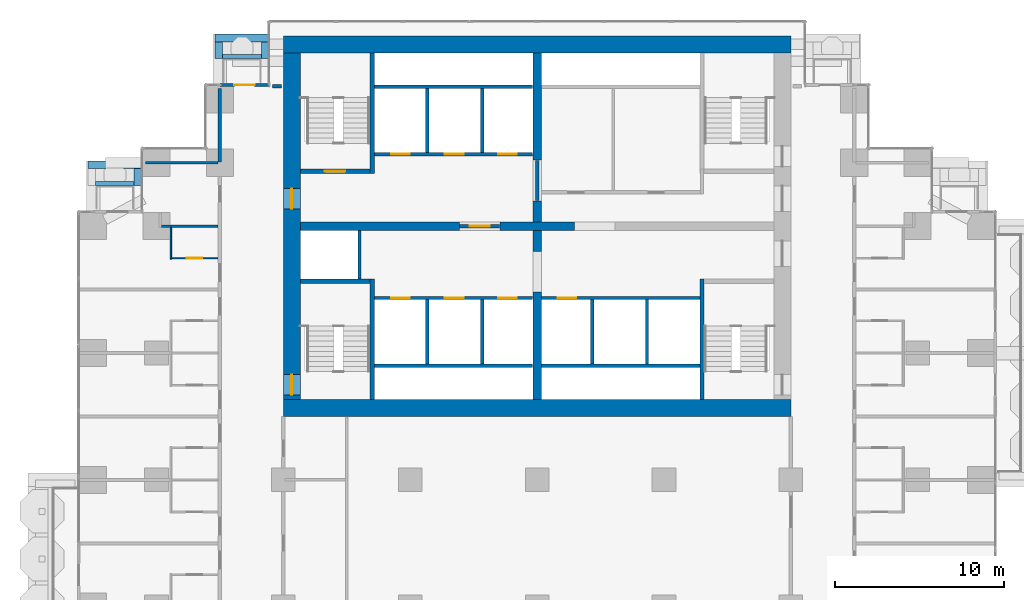
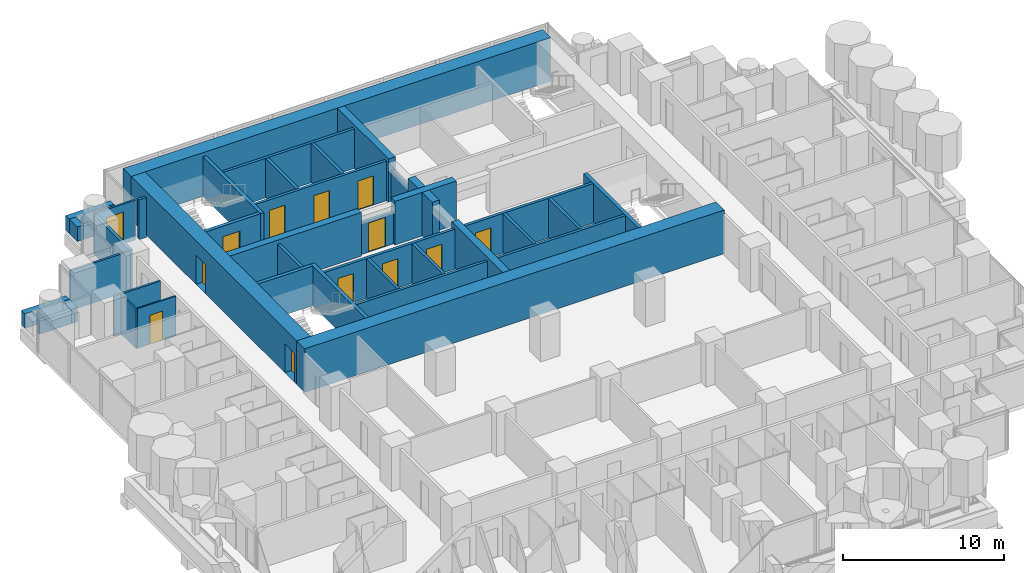
# One storey, part 14 of 19: 43 walls, 13 doors, 13 openings.
"""IFC4 building model written with IfcOpenShell, lengths in metres."""

from ifc_helpers import new_model, si_unit, direction, frame, frame_2d, origin, place, context, subcontext, project, spatial, rectangle, extrude, material, layer, layer_set, type_object, element, fill, save


model = new_model("IFC4")

# Units and contexts
model_context = context("Model", 3, precision=1e-05, world=origin(), true_north=direction((0.0, 1.0)))
body_context = subcontext(model_context, "Body", "Model", "MODEL_VIEW")
ifc_project = project(units=[si_unit("LENGTHUNIT", "METRE"), si_unit("AREAUNIT", "SQUARE_METRE"), si_unit("VOLUMEUNIT", "CUBIC_METRE"), si_unit("PLANEANGLEUNIT", "RADIAN"), si_unit("MASSUNIT", "GRAM", prefix="KILO")], contexts=[model_context])

# Site, building, storey
site_placement = place(None, origin())
site = spatial("IfcSite", under=ifc_project, at=site_placement, CompositionType="ELEMENT")
building_placement = place(site_placement, origin())
building = spatial("IfcBuilding", under=site, at=building_placement, Name="Pilkhan Gate Tower", CompositionType="ELEMENT")
storey_placement = place(building_placement, frame((0.0, 0.0, 39.5)))
storey = spatial("IfcBuildingStorey", under=building, at=storey_placement, Name="L06", CompositionType="ELEMENT", Elevation=39.5)

# Walls
ifc_material_1 = material(Name="Concrete C40/50", Category="concrete")
ifc_layer_1 = layer(ifc_material_1, 0.25)
ifc_layer_set_1 = layer_set([ifc_layer_1], Name="Balcony planter BP250")
wall_type_1 = type_object("IfcWallType", Name="Balcony planter BP250", PredefinedType="USERDEFINED", material=ifc_layer_set_1)
wall_1_placement = place(storey_placement, frame((56.39990234375, 92.52490234375, 0.0), z_axis=(0.0, 0.0, 1.0), x_axis=(1.0, 0.0, 0.0)))
element("IfcWall", 1, at=wall_1_placement, inside=storey, type_object=wall_type_1, Name="Balcony planter L06 N", ObjectType="BALCONY PLANTER", PredefinedType="USERDEFINED", context=body_context, shape_type="SweptSolid", body=[
    extrude(rectangle(XDim=2.300048828125, YDim=0.25, at=frame_2d((1.14990234375, 0.0))), origin(), (0.0, 0.0, 1.0), 1.0),
])
wall_2_placement = place(storey_placement, frame((48.89990234375, 85.02490234375, 0.0), z_axis=(0.0, 0.0, 1.0), x_axis=(1.0, 0.0, 0.0)))
element("IfcWall", 2, at=wall_2_placement, inside=storey, type_object=wall_type_1, Name="Balcony planter L06 N", ObjectType="BALCONY PLANTER", PredefinedType="USERDEFINED", context=body_context, shape_type="SweptSolid", body=[
    extrude(rectangle(XDim=2.280029296875, YDim=0.25, at=frame_2d((1.14013671875, 0.0))), origin(), (0.0, 0.0, 1.0), 1.0),
])
ifc_material_2 = material(Name="Board-marked Concrete C40/50", Category="concrete")
ifc_layer_2 = layer(ifc_material_2, 0.449951171875)
ifc_layer_set_2 = layer_set([ifc_layer_2], Name="Balcony planter lip BL450")
wall_type_2 = type_object("IfcWallType", Name="Balcony planter lip BL450", PredefinedType="USERDEFINED", material=ifc_layer_set_2)
wall_3_placement = place(storey_placement, frame((55.949951171875, 93.625, 0.0), z_axis=(0.0, 0.0, 1.0), x_axis=(1.0, 0.0, 0.0)))
element("IfcWall", 3, at=wall_3_placement, inside=storey, type_object=wall_type_2, Name="Balcony planter L06 N", ObjectType="BALCONY PLANTER", PredefinedType="USERDEFINED", context=body_context, shape_type="SweptSolid", body=[
    extrude(rectangle(XDim=3.199951171875, YDim=0.449951171875, at=frame_2d((1.60009765625, 0.0))), origin(), (0.0, 0.0, 1.0), 1.10009765625),
])
for number, where, z_axis, x_axis, name in (
    (4, (56.175048828125, 92.39990234375, 0.0), (0.0, 0.0, 1.0), (0.0, 1.0, 0.0), "Balcony planter L06 N"),
    (5, (58.925048828125, 92.39990234375, 0.0), (0.0, 0.0, 1.0), (0.0, 1.0, 0.0), "Balcony planter L06 N"),
):
    element("IfcWall", number, at=place(storey_placement, frame(where, z_axis=z_axis, x_axis=x_axis)), inside=storey, type_object=wall_type_2, Name=name, ObjectType="BALCONY PLANTER", PredefinedType="USERDEFINED", context=body_context, shape_type="SweptSolid", body=[
        extrude(rectangle(XDim=1.0, YDim=0.449951171875, at=frame_2d((0.5, 0.0))), origin(), (0.0, 0.0, 1.0), 1.10009765625),
    ])
wall_4_placement = place(storey_placement, frame((48.449951171875, 86.125, 0.0), z_axis=(0.0, 0.0, 1.0), x_axis=(1.0, 0.0, 0.0)))
element("IfcWall", 6, at=wall_4_placement, inside=storey, type_object=wall_type_2, Name="Balcony planter L06 N", ObjectType="BALCONY PLANTER", PredefinedType="USERDEFINED", context=body_context, shape_type="SweptSolid", body=[
    extrude(rectangle(XDim=3.179931640625, YDim=0.449951171875, at=frame_2d((1.58984375, 0.0))), origin(), (0.0, 0.0, 1.0), 1.10009765625),
])
wall_5_placement = place(storey_placement, frame((51.405029296875, 84.89990234375, 0.0), z_axis=(0.0, 0.0, 1.0), x_axis=(0.0, 1.0, 0.0)))
element("IfcWall", 7, at=wall_5_placement, inside=storey, type_object=wall_type_2, Name="Balcony planter L06 N", ObjectType="BALCONY PLANTER", PredefinedType="USERDEFINED", context=body_context, shape_type="SweptSolid", body=[
    extrude(rectangle(XDim=1.0, YDim=0.449951171875, at=frame_2d((0.5, 0.0))), origin(), (0.0, 0.0, 1.0), 1.10009765625),
])
ifc_material_3 = material(Name="Concrete C70/85", Category="concrete")
ifc_layer_3 = layer(ifc_material_3, 1.0)
ifc_layer_set_3 = layer_set([ifc_layer_3], Name="Core wall CW1000 C70/85")
wall_type_3 = type_object("IfcWallType", Name="Core wall CW1000 C70/85", PredefinedType="SHEAR", material=ifc_layer_set_3)
for number, where, z_axis, x_axis, name in (
    (8, (60.0, 71.75, 0.0), (0.0, 0.0, 1.0), (1.0, 0.0, 0.0), "Core wall S L06"),
    (9, (90.0, 93.25, 0.0), (0.0, 0.0, 1.0), (-1.0, 0.0, 0.0), "Core wall N L06"),
):
    element("IfcWall", number, at=place(storey_placement, frame(where, z_axis=z_axis, x_axis=x_axis)), inside=storey, type_object=wall_type_3, Name=name, PredefinedType="SHEAR", context=body_context, shape_type="SweptSolid", body=[
        extrude(rectangle(XDim=30.0, YDim=1.0, at=frame_2d((15.0, 0.0))), origin(), (0.0, 0.0, 1.0), 3.300048828125),
    ])

# Wall, openings, doors
wall_6_placement = place(storey_placement, frame((60.5, 92.75, 0.0), z_axis=(0.0, 0.0, 1.0), x_axis=(0.0, -1.0, 0.0)))
wall_6 = element("IfcWall", 10, at=wall_6_placement, inside=storey, type_object=wall_type_3, Name="Core wall W L06", PredefinedType="SHEAR", context=body_context, shape_type="SweptSolid", body=[
    extrude(rectangle(XDim=20.5, YDim=1.0, at=frame_2d((10.25, 0.0))), origin(), (0.0, 0.0, 1.0), 3.300048828125),
])
opening_1_placement = place(wall_6_placement, frame((19.02490234375, 0.0, 0.0)))
opening_1 = element("IfcOpeningElement", 11, at=opening_1_placement, cuts=wall_6, Name="Opening L06-04", PredefinedType="OPENING", context=body_context, shape_type="SweptSolid", body=[
    extrude(rectangle(XDim=1.199951171875, YDim=2.199951171875, at=frame_2d((0.60009765625, 1.10009765625))), frame((0.0, 0.510009765625, 0.0), z_axis=(0.0, -1.0, 0.0), x_axis=(1.0, 0.0, 0.0)), (0.0, 0.0, 1.0), 1.02001953125),
])
opening_2_placement = place(wall_6_placement, frame((8.02490234375, 0.0, 0.0)))
opening_2 = element("IfcOpeningElement", 12, at=opening_2_placement, cuts=wall_6, Name="Opening L06-59", PredefinedType="OPENING", context=body_context, shape_type="SweptSolid", body=[
    extrude(rectangle(XDim=1.199951171875, YDim=2.199951171875, at=frame_2d((0.60009765625, 1.10009765625))), frame((0.0, 0.510009765625, 0.0), z_axis=(0.0, -1.0, 0.0), x_axis=(1.0, 0.0, 0.0)), (0.0, 0.0, 1.0), 1.02001953125),
])
ifc_material_4 = material(Name="Steel door, 120 minute fire resisting, self-closing", Category="steel")
door_type_1 = type_object("IfcDoorType", Name="Firefighting lobby door D10 1200x2200", OperationType="SINGLE_SWING_LEFT", PredefinedType="DOOR", material=ifc_material_4)
door_1_placement = place(opening_2_placement, origin())
door_1 = element("IfcDoor", 13, at=door_1_placement, inside=storey, type_object=door_type_1, Name="Core door", OperationType="SINGLE_SWING_LEFT", OverallHeight=2.199951171875, OverallWidth=1.199951171875, PredefinedType="DOOR", context=body_context, shape_type="SweptSolid", body=[
    extrude(rectangle(XDim=1.199951171875, YDim=2.199951171875, at=frame_2d((0.60009765625, 1.10009765625))), frame((0.0, 0.02490234375, 0.0), z_axis=(0.0, -1.0, 0.0), x_axis=(1.0, 0.0, 0.0)), (0.0, 0.0, 1.0), 0.050048828125),
])
fill(opening_2, door_1)
ifc_material_5 = material(Name="Steel door, 120 minute fire resisting, panic bar", Category="steel")
door_type_2 = type_object("IfcDoorType", Name="Stair door D11 1200x2200", OperationType="SINGLE_SWING_LEFT", PredefinedType="DOOR", material=ifc_material_5)
door_2_placement = place(opening_1_placement, origin())
door_2 = element("IfcDoor", 14, at=door_2_placement, inside=storey, type_object=door_type_2, Name="Stair ST2 door", OperationType="SINGLE_SWING_LEFT", OverallHeight=2.199951171875, OverallWidth=1.199951171875, PredefinedType="DOOR", context=body_context, shape_type="SweptSolid", body=[
    extrude(rectangle(XDim=1.199951171875, YDim=2.199951171875, at=frame_2d((0.60009765625, 1.10009765625))), frame((0.0, 0.02490234375, 0.0), z_axis=(0.0, -1.0, 0.0), x_axis=(1.0, 0.0, 0.0)), (0.0, 0.0, 1.0), 0.050048828125),
])
fill(opening_1, door_2)

# Walls
ifc_material_6 = material(Name="Dense blockwork", Category="masonry")
ifc_layer_4 = layer(ifc_material_6, 0.199951171875)
ifc_layer_set_4 = layer_set([ifc_layer_4], Name="Corridor wall FW200")
wall_type_4 = type_object("IfcWallType", Name="Corridor wall FW200", PredefinedType="PARTITIONING", material=ifc_layer_set_4)
wall_7_placement = place(storey_placement, frame((59.35498046875, 90.764892578125, 0.0), z_axis=(0.0, 0.0, 1.0), x_axis=(1.0, 0.0, 0.0)))
element("IfcWall", 15, at=wall_7_placement, inside=storey, type_object=wall_type_4, Name="Partition L06", PredefinedType="PARTITIONING", context=body_context, shape_type="SweptSolid", body=[
    extrude(rectangle(XDim=0.52490234375, YDim=0.199951171875, at=frame_2d((0.262451171875, 0.0))), origin(), (0.0, 0.0, 1.0), 3.0),
])
wall_8_placement = place(storey_placement, frame((56.25, 86.280029296875, 0.0), z_axis=(0.0, 0.0, 1.0), x_axis=(0.0, 1.0, 0.0)))
element("IfcWall", 16, at=wall_8_placement, inside=storey, type_object=wall_type_4, Name="Partition L06", PredefinedType="PARTITIONING", context=body_context, shape_type="SweptSolid", body=[
    extrude(rectangle(XDim=4.364990234375, YDim=0.199951171875, at=frame_2d((2.1826171875, 0.0))), origin(), (0.0, 0.0, 1.0), 3.0),
])

# Wall, opening, door
ifc_material_7 = material(Name="Pale anodised aluminium, clear laminated glazing", Category="aluminium")
ifc_layer_5 = layer(ifc_material_7, 0.14990234375)
ifc_layer_set_5 = layer_set([ifc_layer_5], Name="Facade infill wall IW150")
wall_type_5 = type_object("IfcWallType", Name="Facade infill wall IW150", PredefinedType="SOLIDWALL", material=ifc_layer_set_5)
wall_9_placement = place(storey_placement, frame((56.25, 90.844970703125, 0.0), z_axis=(0.0, 0.0, 1.0), x_axis=(1.0, 0.0, 0.0)))
wall_9 = element("IfcWall", 17, at=wall_9_placement, inside=storey, type_object=wall_type_5, Name="Infill wall L06 N", PredefinedType="SOLIDWALL", context=body_context, shape_type="SweptSolid", body=[
    extrude(rectangle(XDim=2.905029296875, YDim=0.14990234375, at=frame_2d((1.45263671875, 0.0))), origin(), (0.0, 0.0, 1.0), 3.0),
])
opening_3_placement = place(wall_9_placement, frame((0.8525390625, 0.0, 0.0)))
opening_3 = element("IfcOpeningElement", 18, at=opening_3_placement, cuts=wall_9, Name="Opening D1", PredefinedType="OPENING", context=body_context, shape_type="SweptSolid", body=[
    extrude(rectangle(XDim=1.199951171875, YDim=2.39990234375, at=frame_2d((0.60009765625, 1.199951171875))), frame((0.0, 0.0849609375, 0.0), z_axis=(0.0, -1.0, 0.0), x_axis=(1.0, 0.0, 0.0)), (0.0, 0.0, 1.0), 0.169921875),
])
ifc_material_8 = material(Name="Pale anodised aluminium, clear glazing", Category="aluminium")
door_type_3 = type_object("IfcDoorType", Name="Balcony door D1 1200x2400", OperationType="SINGLE_SWING_LEFT", PredefinedType="DOOR", material=ifc_material_8)
door_3_placement = place(opening_3_placement, origin())
door_3 = element("IfcDoor", 19, at=door_3_placement, inside=storey, type_object=door_type_3, Name="Balcony door L06", OperationType="SINGLE_SWING_LEFT", OverallHeight=2.39990234375, OverallWidth=1.199951171875, PredefinedType="DOOR", context=body_context, shape_type="SweptSolid", body=[
    extrude(rectangle(XDim=1.199951171875, YDim=2.39990234375, at=frame_2d((0.60009765625, 1.199951171875))), frame((0.0, 0.02490234375, 0.0), z_axis=(0.0, -1.0, 0.0), x_axis=(1.0, 0.0, 0.0)), (0.0, 0.0, 1.0), 0.050048828125),
])
fill(opening_3, door_3)

ifc_layer_6 = layer(ifc_material_6, 0.199951171875)
ifc_layer_set_6 = layer_set([ifc_layer_6], Name="Lobby wall LW200")
wall_type_6 = type_object("IfcWallType", Name="Lobby wall LW200", PredefinedType="PARTITIONING", material=ifc_layer_set_6)
wall_10_placement = place(storey_placement, frame((70.409912109375, 82.5, 0.0), z_axis=(0.0, 0.0, 1.0), x_axis=(1.0, 0.0, 0.0)))
wall_10 = element("IfcWall", 20, at=wall_10_placement, inside=storey, type_object=wall_type_6, Name="Partition L06", PredefinedType="PARTITIONING", context=body_context, shape_type="SweptSolid", body=[
    extrude(rectangle(XDim=2.380126953125, YDim=0.199951171875, at=frame_2d((1.18994140625, 0.0))), origin(), (0.0, 0.0, 1.0), 2.39990234375),
])
opening_4_placement = place(wall_10_placement, frame((0.60009765625, 0.0, 0.0)))
opening_4 = element("IfcOpeningElement", 21, at=opening_4_placement, cuts=wall_10, Name="Opening L06-01", PredefinedType="OPENING", context=body_context, shape_type="SweptSolid", body=[
    extrude(rectangle(XDim=1.199951171875, YDim=2.199951171875, at=frame_2d((0.60009765625, 1.10009765625))), frame((0.0, 0.10986328125, 0.0), z_axis=(0.0, -1.0, 0.0), x_axis=(1.0, 0.0, 0.0)), (0.0, 0.0, 1.0), 0.219970703125),
])
door_4_placement = place(opening_4_placement, origin())
door_4 = element("IfcDoor", 22, at=door_4_placement, inside=storey, type_object=door_type_1, Name="Firefighting lobby door", OperationType="SINGLE_SWING_LEFT", OverallHeight=2.199951171875, OverallWidth=1.199951171875, PredefinedType="DOOR", context=body_context, shape_type="SweptSolid", body=[
    extrude(rectangle(XDim=1.199951171875, YDim=2.199951171875, at=frame_2d((0.60009765625, 1.10009765625))), frame((0.0, 0.02490234375, 0.0), z_axis=(0.0, -1.0, 0.0), x_axis=(1.0, 0.0, 0.0)), (0.0, 0.0, 1.0), 0.050048828125),
])
fill(opening_4, door_4)

# Walls
wall_11_placement = place(storey_placement, frame((75.0, 84.010009765625, 0.0), z_axis=(0.0, 0.0, 1.0), x_axis=(0.0, 1.0, 0.0)))
element("IfcWall", 23, at=wall_11_placement, inside=storey, type_object=wall_type_6, Name="Partition L06", PredefinedType="PARTITIONING", context=body_context, shape_type="SweptSolid", body=[
    extrude(rectangle(XDim=2.3798828125, YDim=0.199951171875, at=frame_2d((1.18994140625, 0.0))), origin(), (0.0, 0.0, 1.0), 2.39990234375),
])
ifc_material_9 = material(Name="Blockwork partition, plastered both sides", Category="masonry")
ifc_layer_7 = layer(ifc_material_9, 0.14990234375)
ifc_layer_set_7 = layer_set([ifc_layer_7], Name="Partition PW150")
wall_type_7 = type_object("IfcWallType", Name="Partition PW150", PredefinedType="PARTITIONING", material=ifc_layer_set_7)
wall_12_placement = place(storey_placement, frame((52.81005859375, 82.5, 0.0), z_axis=(0.0, 0.0, 1.0), x_axis=(1.0, 0.0, 0.0)))
element("IfcWall", 24, at=wall_12_placement, inside=storey, type_object=wall_type_7, Name="Partition L06", PredefinedType="PARTITIONING", context=body_context, shape_type="SweptSolid", body=[
    extrude(rectangle(XDim=3.33984375, YDim=0.14990234375, at=frame_2d((1.669921875, 0.0))), origin(), (0.0, 0.0, 1.0), 3.0),
])
wall_13_placement = place(storey_placement, frame((51.85498046875, 86.25, 0.0), z_axis=(0.0, 0.0, 1.0), x_axis=(1.0, 0.0, 0.0)))
element("IfcWall", 25, at=wall_13_placement, inside=storey, type_object=wall_type_7, Name="Partition L06", PredefinedType="PARTITIONING", context=body_context, shape_type="SweptSolid", body=[
    extrude(rectangle(XDim=4.294921875, YDim=0.14990234375, at=frame_2d((2.1474609375, 0.0))), origin(), (0.0, 0.0, 1.0), 3.0),
])
ifc_material_10 = material(Name="Reinforced blockwork shaft wall, 120 minute fire resisting", Category="masonry")
ifc_layer_8 = layer(ifc_material_10, 0.199951171875)
ifc_layer_set_8 = layer_set([ifc_layer_8], Name="Shaft wall SW200")
wall_type_8 = type_object("IfcWallType", Name="Shaft wall SW200", PredefinedType="PARTITIONING", material=ifc_layer_set_8)
for number, where, z_axis, x_axis, name in (
    (26, (65.375, 74.25, 0.0), (0.0, 0.0, 1.0), (1.0, 0.0, 0.0), "Partition L06"),
    (27, (75.260009765625, 74.25, 0.0), (0.0, 0.0, 1.0), (1.0, 0.0, 0.0), "Partition L06"),
):
    element("IfcWall", number, at=place(storey_placement, frame(where, z_axis=z_axis, x_axis=x_axis)), inside=storey, type_object=wall_type_8, Name=name, PredefinedType="PARTITIONING", context=body_context, shape_type="SweptSolid", body=[
        extrude(rectangle(XDim=9.364990234375, YDim=0.199951171875, at=frame_2d((4.6826171875, 0.0))), origin(), (0.0, 0.0, 1.0), 3.0),
    ])

# Wall, openings, doors
wall_14_placement = place(storey_placement, frame((65.375, 78.25, 0.0), z_axis=(0.0, 0.0, 1.0), x_axis=(1.0, 0.0, 0.0)))
wall_14 = element("IfcWall", 28, at=wall_14_placement, inside=storey, type_object=wall_type_8, Name="Partition L06", PredefinedType="PARTITIONING", context=body_context, shape_type="SweptSolid", body=[
    extrude(rectangle(XDim=9.364990234375, YDim=0.199951171875, at=frame_2d((4.6826171875, 0.0))), origin(), (0.0, 0.0, 1.0), 3.0),
])
opening_5_placement = place(wall_14_placement, frame((1.0, 0.0, 0.0)))
opening_5 = element("IfcOpeningElement", 29, at=opening_5_placement, cuts=wall_14, Name="Opening LD", PredefinedType="OPENING", context=body_context, shape_type="SweptSolid", body=[
    extrude(rectangle(XDim=1.10009765625, YDim=2.199951171875, at=frame_2d((0.550048828125, 1.10009765625))), frame((0.0, 0.10986328125, 0.0), z_axis=(0.0, -1.0, 0.0), x_axis=(1.0, 0.0, 0.0)), (0.0, 0.0, 1.0), 0.219970703125),
])
opening_6_placement = place(wall_14_placement, frame((4.175048828125, 0.0, 0.0)))
opening_6 = element("IfcOpeningElement", 30, at=opening_6_placement, cuts=wall_14, Name="Opening LD", PredefinedType="OPENING", context=body_context, shape_type="SweptSolid", body=[
    extrude(rectangle(XDim=1.10009765625, YDim=2.199951171875, at=frame_2d((0.550048828125, 1.10009765625))), frame((0.0, 0.10986328125, 0.0), z_axis=(0.0, -1.0, 0.0), x_axis=(1.0, 0.0, 0.0)), (0.0, 0.0, 1.0), 0.219970703125),
])
opening_7_placement = place(wall_14_placement, frame((7.324951171875, 0.0, 0.0)))
opening_7 = element("IfcOpeningElement", 31, at=opening_7_placement, cuts=wall_14, Name="Opening LD", PredefinedType="OPENING", context=body_context, shape_type="SweptSolid", body=[
    extrude(rectangle(XDim=1.10009765625, YDim=2.199951171875, at=frame_2d((0.550048828125, 1.10009765625))), frame((0.0, 0.10986328125, 0.0), z_axis=(0.0, -1.0, 0.0), x_axis=(1.0, 0.0, 0.0)), (0.0, 0.0, 1.0), 0.219970703125),
])
ifc_material_11 = material(Name="Stainless steel centre-opening landing door, 120 minute fire resisting", Category="steel")
door_type_4 = type_object("IfcDoorType", Name="Lift landing door LD 1100x2200", OperationType="DOUBLE_DOOR_SLIDING", PredefinedType="DOOR", material=ifc_material_11)
door_5_placement = place(opening_5_placement, origin())
door_5 = element("IfcDoor", 32, at=door_5_placement, inside=storey, type_object=door_type_4, Name="Landing door LR1", OperationType="DOUBLE_DOOR_SLIDING", OverallHeight=2.199951171875, OverallWidth=1.10009765625, PredefinedType="DOOR", context=body_context, shape_type="SweptSolid", body=[
    extrude(rectangle(XDim=1.10009765625, YDim=2.199951171875, at=frame_2d((0.550048828125, 1.10009765625))), frame((0.0, 0.02490234375, 0.0), z_axis=(0.0, -1.0, 0.0), x_axis=(1.0, 0.0, 0.0)), (0.0, 0.0, 1.0), 0.050048828125),
])
fill(opening_5, door_5)
door_6_placement = place(opening_6_placement, origin())
door_6 = element("IfcDoor", 33, at=door_6_placement, inside=storey, type_object=door_type_4, Name="Landing door LR2", OperationType="DOUBLE_DOOR_SLIDING", OverallHeight=2.199951171875, OverallWidth=1.10009765625, PredefinedType="DOOR", context=body_context, shape_type="SweptSolid", body=[
    extrude(rectangle(XDim=1.10009765625, YDim=2.199951171875, at=frame_2d((0.550048828125, 1.10009765625))), frame((0.0, 0.02490234375, 0.0), z_axis=(0.0, -1.0, 0.0), x_axis=(1.0, 0.0, 0.0)), (0.0, 0.0, 1.0), 0.050048828125),
])
fill(opening_6, door_6)
door_7_placement = place(opening_7_placement, origin())
door_7 = element("IfcDoor", 34, at=door_7_placement, inside=storey, type_object=door_type_4, Name="Landing door LR3", OperationType="DOUBLE_DOOR_SLIDING", OverallHeight=2.199951171875, OverallWidth=1.10009765625, PredefinedType="DOOR", context=body_context, shape_type="SweptSolid", body=[
    extrude(rectangle(XDim=1.10009765625, YDim=2.199951171875, at=frame_2d((0.550048828125, 1.10009765625))), frame((0.0, 0.02490234375, 0.0), z_axis=(0.0, -1.0, 0.0), x_axis=(1.0, 0.0, 0.0)), (0.0, 0.0, 1.0), 0.050048828125),
])
fill(opening_7, door_7)

# Wall, opening, door
wall_15_placement = place(storey_placement, frame((75.260009765625, 78.25, 0.0), z_axis=(0.0, 0.0, 1.0), x_axis=(1.0, 0.0, 0.0)))
wall_15 = element("IfcWall", 35, at=wall_15_placement, inside=storey, type_object=wall_type_8, Name="Partition L06", PredefinedType="PARTITIONING", context=body_context, shape_type="SweptSolid", body=[
    extrude(rectangle(XDim=9.364990234375, YDim=0.199951171875, at=frame_2d((4.6826171875, 0.0))), origin(), (0.0, 0.0, 1.0), 3.0),
])
opening_8_placement = place(wall_15_placement, frame((0.949951171875, 0.0, 0.0)))
opening_8 = element("IfcOpeningElement", 36, at=opening_8_placement, cuts=wall_15, Name="Opening LD", PredefinedType="OPENING", context=body_context, shape_type="SweptSolid", body=[
    extrude(rectangle(XDim=1.10009765625, YDim=2.199951171875, at=frame_2d((0.550048828125, 1.10009765625))), frame((0.0, 0.10986328125, 0.0), z_axis=(0.0, -1.0, 0.0), x_axis=(1.0, 0.0, 0.0)), (0.0, 0.0, 1.0), 0.219970703125),
])
door_8_placement = place(opening_8_placement, origin())
door_8 = element("IfcDoor", 37, at=door_8_placement, inside=storey, type_object=door_type_4, Name="Landing door LR4", OperationType="DOUBLE_DOOR_SLIDING", OverallHeight=2.199951171875, OverallWidth=1.10009765625, PredefinedType="DOOR", context=body_context, shape_type="SweptSolid", body=[
    extrude(rectangle(XDim=1.10009765625, YDim=2.199951171875, at=frame_2d((0.550048828125, 1.10009765625))), frame((0.0, 0.02490234375, 0.0), z_axis=(0.0, -1.0, 0.0), x_axis=(1.0, 0.0, 0.0)), (0.0, 0.0, 1.0), 0.050048828125),
])
fill(opening_8, door_8)

# Wall, openings, doors
wall_16_placement = place(storey_placement, frame((65.375, 86.75, 0.0), z_axis=(0.0, 0.0, 1.0), x_axis=(1.0, 0.0, 0.0)))
wall_16 = element("IfcWall", 38, at=wall_16_placement, inside=storey, type_object=wall_type_8, Name="Partition L06", PredefinedType="PARTITIONING", context=body_context, shape_type="SweptSolid", body=[
    extrude(rectangle(XDim=9.364990234375, YDim=0.199951171875, at=frame_2d((4.6826171875, 0.0))), origin(), (0.0, 0.0, 1.0), 3.0),
])
opening_9_placement = place(wall_16_placement, frame((1.0, 0.0, 0.0)))
opening_9 = element("IfcOpeningElement", 39, at=opening_9_placement, cuts=wall_16, Name="Opening LD", PredefinedType="OPENING", context=body_context, shape_type="SweptSolid", body=[
    extrude(rectangle(XDim=1.10009765625, YDim=2.199951171875, at=frame_2d((0.550048828125, 1.10009765625))), frame((0.0, 0.10986328125, 0.0), z_axis=(0.0, -1.0, 0.0), x_axis=(1.0, 0.0, 0.0)), (0.0, 0.0, 1.0), 0.219970703125),
])
opening_10_placement = place(wall_16_placement, frame((4.175048828125, 0.0, 0.0)))
opening_10 = element("IfcOpeningElement", 40, at=opening_10_placement, cuts=wall_16, Name="Opening LD", PredefinedType="OPENING", context=body_context, shape_type="SweptSolid", body=[
    extrude(rectangle(XDim=1.10009765625, YDim=2.199951171875, at=frame_2d((0.550048828125, 1.10009765625))), frame((0.0, 0.10986328125, 0.0), z_axis=(0.0, -1.0, 0.0), x_axis=(1.0, 0.0, 0.0)), (0.0, 0.0, 1.0), 0.219970703125),
])
opening_11_placement = place(wall_16_placement, frame((7.324951171875, 0.0, 0.0)))
opening_11 = element("IfcOpeningElement", 41, at=opening_11_placement, cuts=wall_16, Name="Opening LD", PredefinedType="OPENING", context=body_context, shape_type="SweptSolid", body=[
    extrude(rectangle(XDim=1.10009765625, YDim=2.199951171875, at=frame_2d((0.550048828125, 1.10009765625))), frame((0.0, 0.10986328125, 0.0), z_axis=(0.0, -1.0, 0.0), x_axis=(1.0, 0.0, 0.0)), (0.0, 0.0, 1.0), 0.219970703125),
])
door_9_placement = place(opening_9_placement, origin())
door_9 = element("IfcDoor", 42, at=door_9_placement, inside=storey, type_object=door_type_4, Name="Landing door FF1", OperationType="DOUBLE_DOOR_SLIDING", OverallHeight=2.199951171875, OverallWidth=1.10009765625, PredefinedType="DOOR", context=body_context, shape_type="SweptSolid", body=[
    extrude(rectangle(XDim=1.10009765625, YDim=2.199951171875, at=frame_2d((0.550048828125, 1.10009765625))), frame((0.0, 0.02490234375, 0.0), z_axis=(0.0, -1.0, 0.0), x_axis=(1.0, 0.0, 0.0)), (0.0, 0.0, 1.0), 0.050048828125),
])
fill(opening_9, door_9)
door_10_placement = place(opening_10_placement, origin())
door_10 = element("IfcDoor", 43, at=door_10_placement, inside=storey, type_object=door_type_4, Name="Landing door FF2", OperationType="DOUBLE_DOOR_SLIDING", OverallHeight=2.199951171875, OverallWidth=1.10009765625, PredefinedType="DOOR", context=body_context, shape_type="SweptSolid", body=[
    extrude(rectangle(XDim=1.10009765625, YDim=2.199951171875, at=frame_2d((0.550048828125, 1.10009765625))), frame((0.0, 0.02490234375, 0.0), z_axis=(0.0, -1.0, 0.0), x_axis=(1.0, 0.0, 0.0)), (0.0, 0.0, 1.0), 0.050048828125),
])
fill(opening_10, door_10)
door_11_placement = place(opening_11_placement, origin())
door_11 = element("IfcDoor", 44, at=door_11_placement, inside=storey, type_object=door_type_4, Name="Landing door SV1", OperationType="DOUBLE_DOOR_SLIDING", OverallHeight=2.199951171875, OverallWidth=1.10009765625, PredefinedType="DOOR", context=body_context, shape_type="SweptSolid", body=[
    extrude(rectangle(XDim=1.10009765625, YDim=2.199951171875, at=frame_2d((0.550048828125, 1.10009765625))), frame((0.0, 0.02490234375, 0.0), z_axis=(0.0, -1.0, 0.0), x_axis=(1.0, 0.0, 0.0)), (0.0, 0.0, 1.0), 0.050048828125),
])
fill(opening_11, door_11)

# Walls
wall_17_placement = place(storey_placement, frame((65.375, 90.75, 0.0), z_axis=(0.0, 0.0, 1.0), x_axis=(1.0, 0.0, 0.0)))
element("IfcWall", 45, at=wall_17_placement, inside=storey, type_object=wall_type_8, Name="Partition L06", PredefinedType="PARTITIONING", context=body_context, shape_type="SweptSolid", body=[
    extrude(rectangle(XDim=9.364990234375, YDim=0.199951171875, at=frame_2d((4.6826171875, 0.0))), origin(), (0.0, 0.0, 1.0), 3.0),
])
wall_18_placement = place(storey_placement, frame((64.5, 79.375, 0.0), z_axis=(0.0, 0.0, 1.0), x_axis=(0.0, 1.0, 0.0)))
element("IfcWall", 46, at=wall_18_placement, inside=storey, type_object=wall_type_8, Name="Partition L06", PredefinedType="PARTITIONING", context=body_context, shape_type="SweptSolid", body=[
    extrude(rectangle(XDim=2.864990234375, YDim=0.199951171875, at=frame_2d((1.4326171875, 0.0))), origin(), (0.0, 0.0, 1.0), 3.0),
])
for number, where, z_axis, x_axis, name in (
    (47, (68.5, 74.35009765625, 0.0), (0.0, 0.0, 1.0), (0.0, 1.0, 0.0), "Partition L06"),
    (48, (68.5, 86.85009765625, 0.0), (0.0, 0.0, 1.0), (0.0, 1.0, 0.0), "Partition L06"),
    (49, (71.75, 74.35009765625, 0.0), (0.0, 0.0, 1.0), (0.0, 1.0, 0.0), "Partition L06"),
    (50, (71.75, 86.85009765625, 0.0), (0.0, 0.0, 1.0), (0.0, 1.0, 0.0), "Partition L06"),
    (51, (78.25, 74.35009765625, 0.0), (0.0, 0.0, 1.0), (0.0, 1.0, 0.0), "Partition L06"),
    (52, (81.5, 74.35009765625, 0.0), (0.0, 0.0, 1.0), (0.0, 1.0, 0.0), "Partition L06"),
):
    element("IfcWall", number, at=place(storey_placement, frame(where, z_axis=z_axis, x_axis=x_axis)), inside=storey, type_object=wall_type_8, Name=name, PredefinedType="PARTITIONING", context=body_context, shape_type="SweptSolid", body=[
        extrude(rectangle(XDim=3.7998046875, YDim=0.199951171875, at=frame_2d((1.89990234375, 0.0))), origin(), (0.0, 0.0, 1.0), 3.0),
    ])
ifc_layer_9 = layer(ifc_material_3, 0.5)
ifc_layer_set_9 = layer_set([ifc_layer_9], Name="Spine wall SW500 C70/85")
wall_type_9 = type_object("IfcWallType", Name="Spine wall SW500 C70/85", PredefinedType="SHEAR", material=ifc_layer_set_9)
wall_19_placement = place(storey_placement, frame((61.0, 82.5, 0.0), z_axis=(0.0, 0.0, 1.0), x_axis=(1.0, 0.0, 0.0)))
element("IfcWall", 53, at=wall_19_placement, inside=storey, type_object=wall_type_9, Name="Spine wall SP-EW1 L06", PredefinedType="SHEAR", context=body_context, shape_type="SweptSolid", body=[
    extrude(rectangle(XDim=9.39990234375, YDim=0.5, at=frame_2d((4.699951171875, 0.0))), origin(), (0.0, 0.0, 1.0), 3.300048828125),
])
wall_20_placement = place(storey_placement, frame((72.800048828125, 82.5, 0.0), z_axis=(0.0, 0.0, 1.0), x_axis=(1.0, 0.0, 0.0)))
element("IfcWall", 54, at=wall_20_placement, inside=storey, type_object=wall_type_9, Name="Spine wall SP-EW2 L06", PredefinedType="SHEAR", context=body_context, shape_type="SweptSolid", body=[
    extrude(rectangle(XDim=4.39990234375, YDim=0.5, at=frame_2d((2.199951171875, 0.0))), origin(), (0.0, 0.0, 1.0), 3.300048828125),
])
wall_21_placement = place(storey_placement, frame((75.0, 72.25, 0.0), z_axis=(0.0, 0.0, 1.0), x_axis=(0.0, 1.0, 0.0)))
element("IfcWall", 55, at=wall_21_placement, inside=storey, type_object=wall_type_9, Name="Spine wall SP-NS-S1 L06", PredefinedType="SHEAR", context=body_context, shape_type="SweptSolid", body=[
    extrude(rectangle(XDim=6.35009765625, YDim=0.5, at=frame_2d((3.175048828125, 0.0))), origin(), (0.0, 0.0, 1.0), 3.300048828125),
])
for number, where, z_axis, x_axis, name in (
    (56, (75.0, 81.0, 0.0), (0.0, 0.0, 1.0), (0.0, 1.0, 0.0), "Spine wall SP-NS-S2 L06"),
    (57, (75.0, 82.75, 0.0), (0.0, 0.0, 1.0), (0.0, 1.0, 0.0), "Spine wall SP-NS-N1 L06"),
):
    element("IfcWall", number, at=place(storey_placement, frame(where, z_axis=z_axis, x_axis=x_axis)), inside=storey, type_object=wall_type_9, Name=name, PredefinedType="SHEAR", context=body_context, shape_type="SweptSolid", body=[
        extrude(rectangle(XDim=1.25, YDim=0.5, at=frame_2d((0.625, 0.0))), origin(), (0.0, 0.0, 1.0), 3.300048828125),
    ])
wall_22_placement = place(storey_placement, frame((75.0, 86.39990234375, 0.0), z_axis=(0.0, 0.0, 1.0), x_axis=(0.0, 1.0, 0.0)))
element("IfcWall", 58, at=wall_22_placement, inside=storey, type_object=wall_type_9, Name="Spine wall SP-NS-N2 L06", PredefinedType="SHEAR", context=body_context, shape_type="SweptSolid", body=[
    extrude(rectangle(XDim=6.35009765625, YDim=0.5, at=frame_2d((3.175048828125, 0.0))), origin(), (0.0, 0.0, 1.0), 3.300048828125),
])
ifc_material_12 = material(Name="Reinforced blockwork, 120 minute fire resisting", Category="masonry")
ifc_layer_10 = layer(ifc_material_12, 0.25)
ifc_layer_set_10 = layer_set([ifc_layer_10], Name="Stair enclosure wall SE250")
wall_type_10 = type_object("IfcWallType", Name="Stair enclosure wall SE250", PredefinedType="PARTITIONING", material=ifc_layer_set_10)
wall_23_placement = place(storey_placement, frame((61.010009765625, 79.25, 0.0), z_axis=(0.0, 0.0, 1.0), x_axis=(1.0, 0.0, 0.0)))
element("IfcWall", 59, at=wall_23_placement, inside=storey, type_object=wall_type_10, Name="Partition L06", PredefinedType="PARTITIONING", context=body_context, shape_type="SweptSolid", body=[
    extrude(rectangle(XDim=4.114990234375, YDim=0.25, at=frame_2d((2.0576171875, 0.0))), origin(), (0.0, 0.0, 1.0), 3.0),
])

# Wall, opening, door
wall_24_placement = place(storey_placement, frame((61.010009765625, 85.75, 0.0), z_axis=(0.0, 0.0, 1.0), x_axis=(1.0, 0.0, 0.0)))
wall_24 = element("IfcWall", 60, at=wall_24_placement, inside=storey, type_object=wall_type_10, Name="Partition L06", PredefinedType="PARTITIONING", context=body_context, shape_type="SweptSolid", body=[
    extrude(rectangle(XDim=4.114990234375, YDim=0.25, at=frame_2d((2.0576171875, 0.0))), origin(), (0.0, 0.0, 1.0), 3.0),
])
opening_12_placement = place(wall_24_placement, frame((1.449951171875, 0.0, 0.0)))
opening_12 = element("IfcOpeningElement", 61, at=opening_12_placement, cuts=wall_24, Name="Opening L06-02", PredefinedType="OPENING", context=body_context, shape_type="SweptSolid", body=[
    extrude(rectangle(XDim=1.199951171875, YDim=2.199951171875, at=frame_2d((0.60009765625, 1.10009765625))), frame((0.0, 0.135009765625, 0.0), z_axis=(0.0, -1.0, 0.0), x_axis=(1.0, 0.0, 0.0)), (0.0, 0.0, 1.0), 0.27001953125),
])
door_12_placement = place(opening_12_placement, origin())
door_12 = element("IfcDoor", 62, at=door_12_placement, inside=storey, type_object=door_type_2, Name="Stair ST3 lobby door", OperationType="SINGLE_SWING_LEFT", OverallHeight=2.199951171875, OverallWidth=1.199951171875, PredefinedType="DOOR", context=body_context, shape_type="SweptSolid", body=[
    extrude(rectangle(XDim=1.199951171875, YDim=2.199951171875, at=frame_2d((0.60009765625, 1.10009765625))), frame((0.0, 0.02490234375, 0.0), z_axis=(0.0, -1.0, 0.0), x_axis=(1.0, 0.0, 0.0)), (0.0, 0.0, 1.0), 0.050048828125),
])
fill(opening_12, door_12)

# Walls
for number, where, z_axis, x_axis, name in (
    (63, (65.25, 72.260009765625, 0.0), (0.0, 0.0, 1.0), (0.0, 1.0, 0.0), "Partition L06"),
    (64, (65.25, 85.625, 0.0), (0.0, 0.0, 1.0), (0.0, 1.0, 0.0), "Partition L06"),
    (65, (84.75, 72.260009765625, 0.0), (0.0, 0.0, 1.0), (0.0, 1.0, 0.0), "Partition L06"),
):
    element("IfcWall", number, at=place(storey_placement, frame(where, z_axis=z_axis, x_axis=x_axis)), inside=storey, type_object=wall_type_10, Name=name, PredefinedType="PARTITIONING", context=body_context, shape_type="SweptSolid", body=[
        extrude(rectangle(XDim=7.114990234375, YDim=0.25, at=frame_2d((3.5576171875, 0.0))), origin(), (0.0, 0.0, 1.0), 3.0),
    ])

# Wall, opening, door
ifc_material_13 = material(Name="Moisture resistant board, tiled")
ifc_layer_11 = layer(ifc_material_13, 0.10009765625)
ifc_layer_set_11 = layer_set([ifc_layer_11], Name="Wet wall PW100")
wall_type_11 = type_object("IfcWallType", Name="Wet wall PW100", PredefinedType="PARTITIONING", material=ifc_layer_set_11)
wall_25_placement = place(storey_placement, frame((53.39990234375, 80.60009765625, 0.0), z_axis=(0.0, 0.0, 1.0), x_axis=(1.0, 0.0, 0.0)))
wall_25 = element("IfcWall", 66, at=wall_25_placement, inside=storey, type_object=wall_type_11, Name="Partition L06", PredefinedType="PARTITIONING", context=body_context, shape_type="SweptSolid", body=[
    extrude(rectangle(XDim=2.75, YDim=0.10009765625, at=frame_2d((1.375, 0.0))), origin(), (0.0, 0.0, 1.0), 3.0),
])
opening_13_placement = place(wall_25_placement, frame((0.89990234375, 0.0, 0.0)))
opening_13 = element("IfcOpeningElement", 67, at=opening_13_placement, cuts=wall_25, Name="Opening L06-41", PredefinedType="OPENING", context=body_context, shape_type="SweptSolid", body=[
    extrude(rectangle(XDim=0.89990234375, YDim=2.199951171875, at=frame_2d((0.449951171875, 1.10009765625))), frame((0.0, 0.06005859375, 0.0), z_axis=(0.0, -1.0, 0.0), x_axis=(1.0, 0.0, 0.0)), (0.0, 0.0, 1.0), 0.1201171875),
])
ifc_material_14 = material(Name="Timber flush door", Category="wood")
door_type_5 = type_object("IfcDoorType", Name="Bathroom door D02 900x2200", OperationType="SINGLE_SWING_RIGHT", PredefinedType="DOOR", material=ifc_material_14)
door_13_placement = place(opening_13_placement, origin())
door_13 = element("IfcDoor", 68, at=door_13_placement, inside=storey, type_object=door_type_5, Name="Bathroom door", OperationType="SINGLE_SWING_RIGHT", OverallHeight=2.199951171875, OverallWidth=0.89990234375, PredefinedType="DOOR", context=body_context, shape_type="SweptSolid", body=[
    extrude(rectangle(XDim=0.89990234375, YDim=2.199951171875, at=frame_2d((0.449951171875, 1.10009765625))), frame((0.0, 0.02490234375, 0.0), z_axis=(0.0, -1.0, 0.0), x_axis=(1.0, 0.0, 0.0)), (0.0, 0.0, 1.0), 0.050048828125),
])
fill(opening_13, door_13)

# Wall
wall_26_placement = place(storey_placement, frame((53.35009765625, 80.550048828125, 0.0), z_axis=(0.0, 0.0, 1.0), x_axis=(0.0, 1.0, 0.0)))
element("IfcWall", 69, at=wall_26_placement, inside=storey, type_object=wall_type_11, Name="Partition L06", PredefinedType="PARTITIONING", context=body_context, shape_type="SweptSolid", body=[
    extrude(rectangle(XDim=1.875, YDim=0.10009765625, at=frame_2d((0.9375, 0.0))), origin(), (0.0, 0.0, 1.0), 3.0),
])

save(model, "model.ifc")
